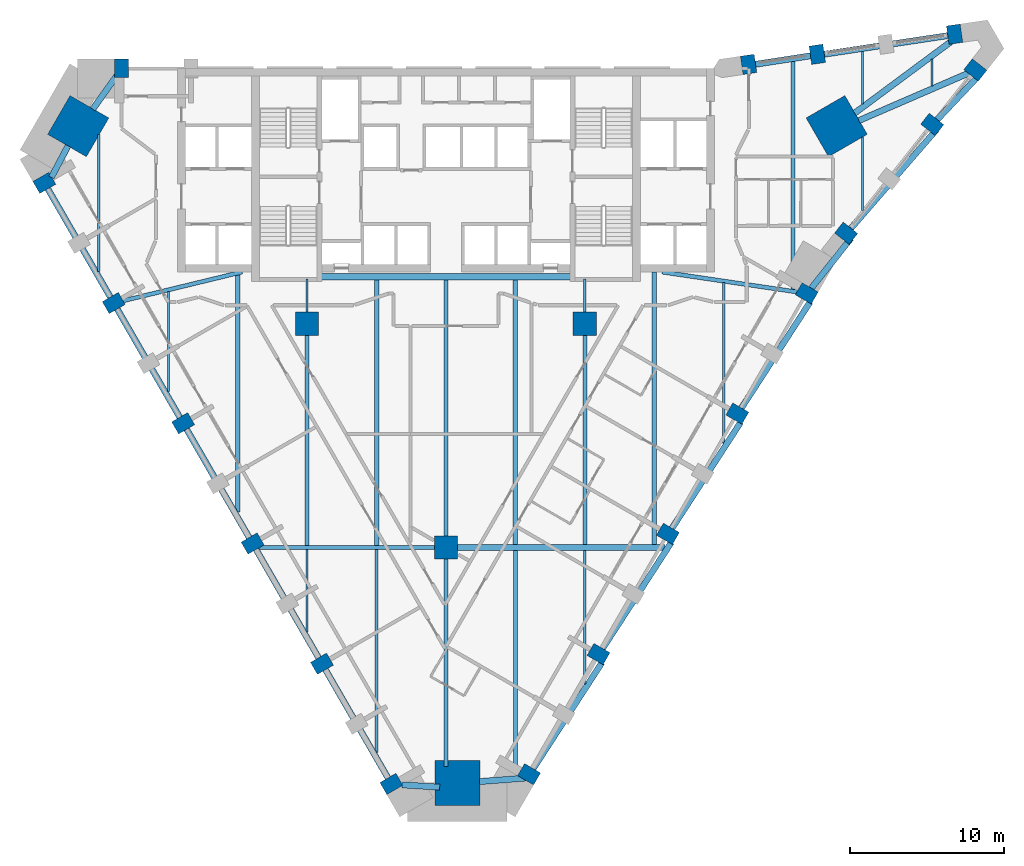
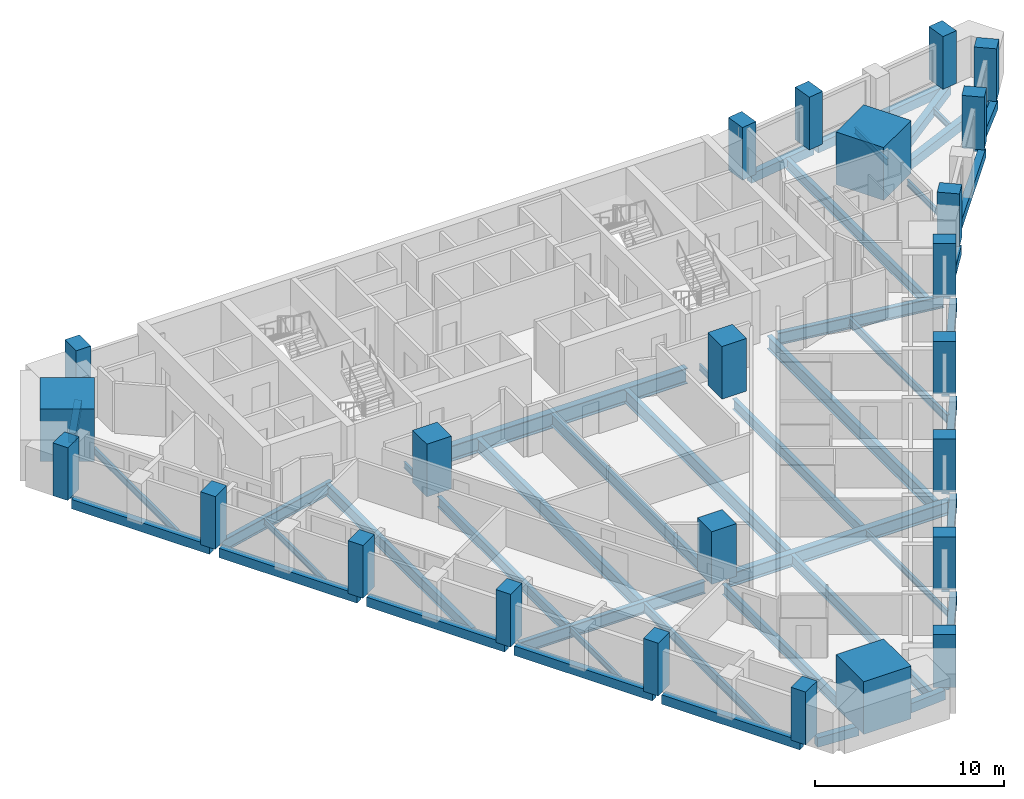
# One storey, part 1 of 11: 46 beams, 24 columns.
"""IFC4 building model written with IfcOpenShell, lengths in metres."""

from ifc_helpers import new_model, si_unit, direction, frame, origin, origin_2d, place, context, subcontext, project, spatial, rectangle, i_section, extrude, material, material_profile, profile_set, type_object, element, save


model = new_model("IFC4")

# Units and contexts
model_context = context("Model", 3, precision=1e-05, world=origin(), true_north=direction((0.0, 1.0)))
body_context = subcontext(model_context, "Body", "Model", "MODEL_VIEW")
ifc_project = project(units=[si_unit("LENGTHUNIT", "METRE"), si_unit("AREAUNIT", "SQUARE_METRE"), si_unit("VOLUMEUNIT", "CUBIC_METRE"), si_unit("PLANEANGLEUNIT", "RADIAN"), si_unit("MASSUNIT", "GRAM", prefix="KILO")], contexts=[model_context])

# Site, building, storey
site_placement = place(None, origin())
site = spatial("IfcSite", under=ifc_project, at=site_placement, CompositionType="ELEMENT")
building_placement = place(site_placement, origin())
building = spatial("IfcBuilding", under=site, at=building_placement, Name="Calabash Gate Tower", CompositionType="ELEMENT")
storey_placement = place(building_placement, frame((0.0, 0.0, 115.60009765625)))
storey = spatial("IfcBuildingStorey", under=building, at=storey_placement, Name="L26", CompositionType="ELEMENT", Elevation=115.60009765625)

# Columns
ifc_material_1 = material(Name="Concrete C80/95", Category="concrete")
ifc_material_profile_1 = material_profile(ifc_material_1, rectangle(XDim=1.5, YDim=1.5, at=origin_2d()))
ifc_profile_set_1 = profile_set([ifc_material_profile_1], Name="Concrete C80/95")
column_type_1 = type_object("IfcColumnType", Name="Interior column RC 1500x1500 Concrete C80/95", PredefinedType="COLUMN", material=ifc_profile_set_1)
for number, where, z_axis, x_axis, name in (
    (1, (-9.0, 2.5, 0.0), (0.0, 0.0, 1.0), (1.0, 0.0, 0.0), "Interior column L26 I0"),
    (2, (9.0, 2.5, 0.0), (0.0, 0.0, 1.0), (1.0, 0.0, 0.0), "Interior column L26 I1"),
    (3, (0.0, -12.0, 0.0), (0.0, 0.0, 1.0), (1.0, 0.0, 0.0), "Interior column L26 I2"),
):
    element("IfcColumn", number, at=place(storey_placement, frame(where, z_axis=z_axis, x_axis=x_axis)), inside=storey, type_object=column_type_1, Name=name, PredefinedType="COLUMN", context=body_context, shape_type="SweptSolid", body=[
        extrude(rectangle(XDim=1.5, YDim=1.5, at=origin_2d()), origin(), (0.0, 0.0, 1.0), 3.39990234375),
    ])
ifc_material_2 = material(Name="Concrete C80/95", Category="concrete")
ifc_material_profile_2 = material_profile(ifc_material_2, rectangle(XDim=2.89990234375, YDim=2.89990234375, at=origin_2d()))
ifc_profile_set_2 = profile_set([ifc_material_profile_2], Name="Concrete C80/95")
column_type_2 = type_object("IfcColumnType", Name="Mega column RC 2900x2900 Concrete C80/95", PredefinedType="COLUMN", material=ifc_profile_set_2)
for number, where, z_axis, x_axis, name in (
    (4, (-23.843017578125, 15.31298828125, 0.0), (0.0, 0.0, 1.0), (0.866025377604, -0.500000045345, 0.0), "Mega column L26 NW"),
    (5, (25.3291015625, 15.31298828125, 0.0), (0.0, 0.0, 1.0), (-0.866025377604, -0.500000045345, 0.0), "Mega column L26 NE"),
    (6, (0.742919921875, -27.27197265625, 0.0), (0.0, 0.0, 1.0), (0.0, 1.0, 0.0), "Mega column L26 S"),
):
    element("IfcColumn", number, at=place(storey_placement, frame(where, z_axis=z_axis, x_axis=x_axis)), inside=storey, type_object=column_type_2, Name=name, PredefinedType="COLUMN", context=body_context, shape_type="SweptSolid", body=[
        extrude(rectangle(XDim=2.89990234375, YDim=2.89990234375, at=origin_2d()), origin(), (0.0, 0.0, 1.0), 3.39990234375),
    ])
ifc_material_3 = material(Name="Concrete C70/85", Category="concrete")
ifc_material_profile_3 = material_profile(ifc_material_3, rectangle(XDim=0.89990234375, YDim=1.199951171875, at=origin_2d()))
ifc_profile_set_3 = profile_set([ifc_material_profile_3], Name="Concrete C70/85")
column_type_3 = type_object("IfcColumnType", Name="Perimeter column RC 900x1200 Concrete C70/85", PredefinedType="COLUMN", material=ifc_profile_set_3)
for number, where, z_axis, x_axis, name in (
    (7, (-26.0390625, 11.635986328125, 0.0), (0.0, 0.0, 1.0), (0.5, -0.866025403784, 0.0), "Perimeter column L26 P20"),
    (8, (-21.5390625, 3.842041015625, 0.0), (0.0, 0.0, 1.0), (0.5, -0.866025403784, 0.0), "Perimeter column L26 P00"),
    (9, (-17.0390625, -3.951904296875, 0.0), (0.0, 0.0, 1.0), (0.5, -0.866025403784, 0.0), "Perimeter column L26 P01"),
    (10, (-12.5390625, -11.7470703125, 0.0), (0.0, 0.0, 1.0), (0.5, -0.866025403784, 0.0), "Perimeter column L26 P02"),
    (11, (-8.0390625, -19.541015625, 0.0), (0.0, 0.0, 1.0), (0.5, -0.866025403784, 0.0), "Perimeter column L26 P03"),
    (12, (-3.5390625, -27.3330078125, 0.0), (0.0, 0.0, 1.0), (0.5, -0.866025403784, 0.0), "Perimeter column L26 P05"),
    (13, (5.386962890625, -26.7080078125, 0.0), (0.0, 0.0, 1.0), (0.5, 0.866025403784, 0.0), "Perimeter column L26 P08"),
    (14, (9.886962890625, -18.9140625, 0.0), (0.0, 0.0, 1.0), (0.5, 0.866025403784, 0.0), "Perimeter column L26 P09"),
    (15, (14.386962890625, -11.118896484375, 0.0), (0.0, 0.0, 1.0), (0.5, 0.866025403784, 0.0), "Perimeter column L26 P10"),
    (16, (18.886962890625, -3.322998046875, 0.0), (0.0, 0.0, 1.0), (0.5, 0.866025403784, 0.0), "Perimeter column L26 P11"),
    (17, (23.386962890625, 4.468994140625, 0.0), (0.0, 0.0, 1.0), (0.5, 0.866025403784, 0.0), "Perimeter column L26 P12"),
    (18, (25.943115234375, 8.366943359375, 0.0), (0.0, 0.0, 1.0), (0.620301172202, 0.784363726701, 0.0), "Perimeter column L26 P13"),
    (19, (31.52587890625, 15.424072265625, 0.0), (0.0, 0.0, 1.0), (0.620301172202, 0.784363726701, 0.0), "Perimeter column L26 P21"),
    (20, (34.31689453125, 18.9541015625, 0.0), (0.0, 0.0, 1.0), (0.620301172202, 0.784363726701, 0.0), "Perimeter column L26 P22"),
    (21, (32.97607421875, 21.27587890625, 0.0), (0.0, 0.0, 1.0), (-0.989429504293, -0.145014675236, 0.0), "Perimeter column L26 P23"),
    (22, (24.072021484375, 19.970947265625, 0.0), (0.0, 0.0, 1.0), (-0.989429504293, -0.145014675236, 0.0), "Perimeter column L26 P16"),
    (23, (19.618896484375, 19.318115234375, 0.0), (0.0, 0.0, 1.0), (-0.989429504293, -0.145014675236, 0.0), "Perimeter column L26 P24"),
    (24, (-21.032958984375, 19.052978515625, 0.0), (0.0, 0.0, 1.0), (-1.0, 0.0, 0.0), "Perimeter column L26 P17"),
):
    element("IfcColumn", number, at=place(storey_placement, frame(where, z_axis=z_axis, x_axis=x_axis)), inside=storey, type_object=column_type_3, Name=name, PredefinedType="COLUMN", context=body_context, shape_type="SweptSolid", body=[
        extrude(rectangle(XDim=0.89990234375, YDim=1.199951171875, at=origin_2d()), origin(), (0.0, 0.0, 1.0), 3.39990234375),
    ])

# Beams
ifc_material_4 = material(Name="Concrete C60/75", Category="concrete")
ifc_material_profile_4 = material_profile(ifc_material_4, rectangle(XDim=0.39990234375, YDim=0.60009765625, at=origin_2d()))
ifc_profile_set_4 = profile_set([ifc_material_profile_4], Name="Concrete C60/75")
beam_type_1 = type_object("IfcBeamType", Name="Edge beam RC 400x600 Concrete C60/75", PredefinedType="BEAM", material=ifc_profile_set_4)
for number, where, z_axis, x_axis, name in (
    (25, (-16.821044921875, -4.330078125, -0.47021484375), (0.500025102917, -0.866010910123, 0.0), (0.866010910123, 0.500025102917, 0.0), "Edge beam L26 1"),
    (26, (-12.321044921875, -12.1240234375, -0.47021484375), (0.500025102917, -0.866010910123, 0.0), (0.866010910123, 0.500025102917, 0.0), "Edge beam L26 2"),
):
    element("IfcBeam", number, at=place(storey_placement, frame(where, z_axis=z_axis, x_axis=x_axis)), inside=storey, type_object=beam_type_1, Name=name, PredefinedType="BEAM", context=body_context, shape_type="SweptSolid", body=[
        extrude(rectangle(XDim=0.39990234375, YDim=0.60009765625, at=origin_2d()), origin(), (0.0, 0.0, 1.0), 8.42578125),
    ])
beam_1_placement = place(storey_placement, frame((-7.821044921875, -19.9189453125, -0.47021484375), z_axis=(0.500012556128, -0.866018154379, 0.0), x_axis=(0.866018154379, 0.500012556128, 0.0)))
element("IfcBeam", 27, at=beam_1_placement, inside=storey, type_object=beam_type_1, Name="Edge beam L26 3", PredefinedType="BEAM", context=body_context, shape_type="SweptSolid", body=[
    extrude(rectangle(XDim=0.39990234375, YDim=0.60009765625, at=origin_2d()), origin(), (0.0, 0.0, 1.0), 8.426025390625),
])
beam_2_placement = place(storey_placement, frame((-2.843017578125, -27.39111328125, -0.47021484375), z_axis=(0.998064232576, -0.062191540038, 0.0), x_axis=(0.062191540038, 0.998064232576, 0.0)))
element("IfcBeam", 28, at=beam_2_placement, inside=storey, type_object=beam_type_1, Name="Edge beam L26 4", PredefinedType="BEAM", context=body_context, shape_type="SweptSolid", body=[
    extrude(rectangle(XDim=0.39990234375, YDim=0.60009765625, at=origin_2d()), origin(), (0.0, 0.0, 1.0), 2.441650390625),
])
beam_3_placement = place(storey_placement, frame((2.177001953125, -27.181884765625, -0.47021484375), z_axis=(0.997030596331, 0.077006428172, 0.0), x_axis=(-0.077006428172, 0.997030596331, 0.0)))
element("IfcBeam", 29, at=beam_3_placement, inside=storey, type_object=beam_type_1, Name="Edge beam L26 5", PredefinedType="BEAM", context=body_context, shape_type="SweptSolid", body=[
    extrude(rectangle(XDim=0.39990234375, YDim=0.60009765625, at=origin_2d()), origin(), (0.0, 0.0, 1.0), 3.011962890625),
])
for number, where, z_axis, x_axis, name in (
    (30, (5.64697265625, -26.35595703125, -0.47021484375), (0.543627394435, 0.839326668241, 0.0), (-0.839326668241, 0.543627394435, 0.0), "Edge beam L26 6"),
    (31, (10.14697265625, -18.56201171875, -0.47021484375), (0.543627394435, 0.839326668241, 0.0), (-0.839326668241, 0.543627394435, 0.0), "Edge beam L26 7"),
):
    element("IfcBeam", number, at=place(storey_placement, frame(where, z_axis=z_axis, x_axis=x_axis)), inside=storey, type_object=beam_type_1, Name=name, PredefinedType="BEAM", context=body_context, shape_type="SweptSolid", body=[
        extrude(rectangle(XDim=0.39990234375, YDim=0.60009765625, at=origin_2d()), origin(), (0.0, 0.0, 1.0), 8.207763671875),
    ])
for number, where, z_axis, x_axis, name in (
    (32, (14.64697265625, -10.76806640625, -0.47021484375), (0.543559539771, 0.83937061345, 0.0), (-0.83937061345, 0.543559539771, 0.0), "Edge beam L26 8"),
    (33, (19.14697265625, -2.97412109375, -0.47021484375), (0.543559539771, 0.83937061345, 0.0), (-0.83937061345, 0.543559539771, 0.0), "Edge beam L26 9"),
):
    element("IfcBeam", number, at=place(storey_placement, frame(where, z_axis=z_axis, x_axis=x_axis)), inside=storey, type_object=beam_type_1, Name=name, PredefinedType="BEAM", context=body_context, shape_type="SweptSolid", body=[
        extrude(rectangle(XDim=0.39990234375, YDim=0.60009765625, at=origin_2d()), origin(), (0.0, 0.0, 1.0), 8.208740234375),
    ])
beam_4_placement = place(storey_placement, frame((23.681884765625, 4.800048828125, -0.47021484375), z_axis=(0.621757740303, 0.783209622242, 0.0), x_axis=(-0.783209622242, 0.621757740303, 0.0)))
element("IfcBeam", 34, at=beam_4_placement, inside=storey, type_object=beam_type_1, Name="Edge beam L26 10", PredefinedType="BEAM", context=body_context, shape_type="SweptSolid", body=[
    extrude(rectangle(XDim=0.39990234375, YDim=0.60009765625, at=origin_2d()), origin(), (0.0, 0.0, 1.0), 4.141845703125),
])
beam_5_placement = place(storey_placement, frame((26.237060546875, 8.66796875, -0.47021484375), z_axis=(0.654894622811, 0.755720208155, 0.0), x_axis=(-0.755720208155, 0.654894622811, 0.0)))
element("IfcBeam", 35, at=beam_5_placement, inside=storey, type_object=beam_type_1, Name="Edge beam L26 11", PredefinedType="BEAM", context=body_context, shape_type="SweptSolid", body=[
    extrude(rectangle(XDim=0.39990234375, YDim=0.60009765625, at=origin_2d()), origin(), (0.0, 0.0, 1.0), 8.540283203125),
])
beam_6_placement = place(storey_placement, frame((31.839111328125, 15.72412109375, -0.47021484375), z_axis=(0.685941332038, 0.727656848385, 0.0), x_axis=(-0.727656848385, 0.685941332038, 0.0)))
element("IfcBeam", 36, at=beam_6_placement, inside=storey, type_object=beam_type_1, Name="Edge beam L26 12", PredefinedType="BEAM", context=body_context, shape_type="SweptSolid", body=[
    extrude(rectangle(XDim=0.39990234375, YDim=0.60009765625, at=origin_2d()), origin(), (0.0, 0.0, 1.0), 4.026611328125),
])
beam_7_placement = place(storey_placement, frame((34.27392578125, 18.922119140625, -0.47021484375), z_axis=(-0.917731210619, -0.397201995282, 0.0), x_axis=(0.397201995282, -0.917731210619, 0.0)))
element("IfcBeam", 37, at=beam_7_placement, inside=storey, type_object=beam_type_1, Name="Edge beam L26 13", PredefinedType="BEAM", context=body_context, shape_type="SweptSolid", body=[
    extrude(rectangle(XDim=0.39990234375, YDim=0.60009765625, at=origin_2d()), origin(), (0.0, 0.0, 1.0), 8.1796875),
])
beam_8_placement = place(storey_placement, frame((26.489990234375, 16.153076171875, -0.47021484375), z_axis=(0.803084890755, 0.595864630802, 0.0), x_axis=(-0.595864630802, 0.803084890755, 0.0)))
element("IfcBeam", 38, at=beam_8_placement, inside=storey, type_object=beam_type_1, Name="Edge beam L26 14", PredefinedType="BEAM", context=body_context, shape_type="SweptSolid", body=[
    extrude(rectangle(XDim=0.39990234375, YDim=0.60009765625, at=origin_2d()), origin(), (0.0, 0.0, 1.0), 8.319091796875),
])
beam_9_placement = place(storey_placement, frame((33.139892578125, 21.27392578125, -0.47021484375), z_axis=(-0.988841625555, -0.148970599683, 0.0), x_axis=(0.148970599683, -0.988841625555, 0.0)))
element("IfcBeam", 39, at=beam_9_placement, inside=storey, type_object=beam_type_1, Name="Edge beam L26 15", PredefinedType="BEAM", context=body_context, shape_type="SweptSolid", body=[
    extrude(rectangle(XDim=0.39990234375, YDim=0.60009765625, at=origin_2d()), origin(), (0.0, 0.0, 1.0), 8.7333984375),
])
beam_10_placement = place(storey_placement, frame((24.236083984375, 19.968017578125, -0.47021484375), z_axis=(-0.988255414285, -0.152811112607, 0.0), x_axis=(0.152811112607, -0.988255414285, 0.0)))
element("IfcBeam", 40, at=beam_10_placement, inside=storey, type_object=beam_type_1, Name="Edge beam L26 16", PredefinedType="BEAM", context=body_context, shape_type="SweptSolid", body=[
    extrude(rectangle(XDim=0.39990234375, YDim=0.60009765625, at=origin_2d()), origin(), (0.0, 0.0, 1.0), 4.23388671875),
])
beam_11_placement = place(storey_placement, frame((-21.10302734375, 18.926025390625, -0.47021484375), z_axis=(-0.581312904664, -0.813680101066, 0.0), x_axis=(0.813680101066, -0.581312904664, 0.0)))
element("IfcBeam", 41, at=beam_11_placement, inside=storey, type_object=beam_type_1, Name="Edge beam L26 17", PredefinedType="BEAM", context=body_context, shape_type="SweptSolid", body=[
    extrude(rectangle(XDim=0.39990234375, YDim=0.60009765625, at=origin_2d()), origin(), (0.0, 0.0, 1.0), 3.091064453125),
])
beam_12_placement = place(storey_placement, frame((-24.5029296875, 14.0400390625, -0.47021484375), z_axis=(-0.465789865333, -0.88489536181, 0.0), x_axis=(0.88489536181, -0.465789865333, 0.0)))
element("IfcBeam", 42, at=beam_12_placement, inside=storey, type_object=beam_type_1, Name="Edge beam L26 18", PredefinedType="BEAM", context=body_context, shape_type="SweptSolid", body=[
    extrude(rectangle(XDim=0.39990234375, YDim=0.60009765625, at=origin_2d()), origin(), (0.0, 0.0, 1.0), 2.316650390625),
])
for number, where, z_axis, x_axis, name in (
    (43, (-25.821044921875, 11.258056640625, -0.47021484375), (0.500012556128, -0.866018154379, 0.0), (0.866018154379, 0.500012556128, 0.0), "Edge beam L26 19"),
    (44, (-21.321044921875, 3.464111328125, -0.47021484375), (0.500012556128, -0.866018154379, 0.0), (0.866018154379, 0.500012556128, 0.0), "Edge beam L26 20"),
):
    element("IfcBeam", number, at=place(storey_placement, frame(where, z_axis=z_axis, x_axis=x_axis)), inside=storey, type_object=beam_type_1, Name=name, PredefinedType="BEAM", context=body_context, shape_type="SweptSolid", body=[
        extrude(rectangle(XDim=0.39990234375, YDim=0.60009765625, at=origin_2d()), origin(), (0.0, 0.0, 1.0), 8.426025390625),
    ])
ifc_material_5 = material(Name="Steel ASTM A992 Gr50", Category="steel")
ifc_material_profile_5 = material_profile(ifc_material_5, i_section(OverallWidth=0.1396484375, OverallDepth=0.398681640625, WebThickness=0.00634765625, FlangeThickness=0.0087890625, FilletRadius=0.01025390625, at=origin_2d()))
ifc_profile_set_5 = profile_set([ifc_material_profile_5], Name="Steel ASTM A992 Gr50")
beam_type_2 = type_object("IfcBeamType", Name="Floor beam W16x26 ASTM A992 Gr50", PredefinedType="BEAM", material=ifc_profile_set_5)
beam_13_placement = place(storey_placement, frame((-18.0, -1.89990234375, -0.369140625), z_axis=(0.0, 1.0, 0.0), x_axis=(-1.0, 0.0, 0.0)))
element("IfcBeam", 45, at=beam_13_placement, inside=storey, type_object=beam_type_2, Name="Floor beam L26 2", PredefinedType="BEAM", context=body_context, shape_type="SweptSolid", body=[
    extrude(i_section(OverallWidth=0.1396484375, OverallDepth=0.398681640625, WebThickness=0.00634765625, FlangeThickness=0.0087890625, FilletRadius=0.01025390625, at=origin_2d()), origin(), (0.0, 0.0, 1.0), 6.48388671875),
])
beam_14_placement = place(storey_placement, frame((-9.0, -17.488037109375, -0.369140625), z_axis=(0.0, 1.0, 0.0), x_axis=(-1.0, 0.0, 0.0)))
element("IfcBeam", 46, at=beam_14_placement, inside=storey, type_object=beam_type_2, Name="Floor beam L26 4", PredefinedType="BEAM", context=body_context, shape_type="SweptSolid", body=[
    extrude(i_section(OverallWidth=0.1396484375, OverallDepth=0.398681640625, WebThickness=0.00634765625, FlangeThickness=0.0087890625, FilletRadius=0.01025390625, at=origin_2d()), origin(), (0.0, 0.0, 1.0), 5.35498046875),
])
beam_15_placement = place(storey_placement, frame((-9.0, 3.25, -0.369140625), z_axis=(0.0, 1.0, 0.0), x_axis=(-1.0, 0.0, 0.0)))
element("IfcBeam", 47, at=beam_15_placement, inside=storey, type_object=beam_type_2, Name="Floor beam L26 6", PredefinedType="BEAM", context=body_context, shape_type="SweptSolid", body=[
    extrude(i_section(OverallWidth=0.1396484375, OverallDepth=0.398681640625, WebThickness=0.00634765625, FlangeThickness=0.0087890625, FilletRadius=0.01025390625, at=origin_2d()), origin(), (0.0, 0.0, 1.0), 2.153076171875),
])
beam_16_placement = place(storey_placement, frame((9.0, -20.842041015625, -0.369140625), z_axis=(0.0, 1.0, 0.0), x_axis=(-1.0, 0.0, 0.0)))
element("IfcBeam", 48, at=beam_16_placement, inside=storey, type_object=beam_type_2, Name="Floor beam L26 13", PredefinedType="BEAM", context=body_context, shape_type="SweptSolid", body=[
    extrude(i_section(OverallWidth=0.1396484375, OverallDepth=0.398681640625, WebThickness=0.00634765625, FlangeThickness=0.0087890625, FilletRadius=0.01025390625, at=origin_2d()), origin(), (0.0, 0.0, 1.0), 8.64306640625),
])
beam_17_placement = place(storey_placement, frame((9.0, 3.25, -0.369140625), z_axis=(0.0, 1.0, 0.0), x_axis=(-1.0, 0.0, 0.0)))
element("IfcBeam", 49, at=beam_17_placement, inside=storey, type_object=beam_type_2, Name="Floor beam L26 15", PredefinedType="BEAM", context=body_context, shape_type="SweptSolid", body=[
    extrude(i_section(OverallWidth=0.1396484375, OverallDepth=0.398681640625, WebThickness=0.00634765625, FlangeThickness=0.0087890625, FilletRadius=0.01025390625, at=origin_2d()), origin(), (0.0, 0.0, 1.0), 2.153076171875),
])
beam_18_placement = place(storey_placement, frame((27.0, 9.833984375, -0.369140625), z_axis=(0.0, 1.0, 0.0), x_axis=(-1.0, 0.0, 0.0)))
element("IfcBeam", 50, at=beam_18_placement, inside=storey, type_object=beam_type_2, Name="Floor beam L26 19", PredefinedType="BEAM", context=body_context, shape_type="SweptSolid", body=[
    extrude(i_section(OverallWidth=0.1396484375, OverallDepth=0.398681640625, WebThickness=0.00634765625, FlangeThickness=0.0087890625, FilletRadius=0.01025390625, at=origin_2d()), origin(), (0.0, 0.0, 1.0), 4.7880859375),
])
beam_19_placement = place(storey_placement, frame((27.0, 16.748046875, -0.369140625), z_axis=(0.0, 1.0, 0.0), x_axis=(-1.0, 0.0, 0.0)))
element("IfcBeam", 51, at=beam_19_placement, inside=storey, type_object=beam_type_2, Name="Floor beam L26 20", PredefinedType="BEAM", context=body_context, shape_type="SweptSolid", body=[
    extrude(i_section(OverallWidth=0.1396484375, OverallDepth=0.398681640625, WebThickness=0.00634765625, FlangeThickness=0.0087890625, FilletRadius=0.01025390625, at=origin_2d()), origin(), (0.0, 0.0, 1.0), 3.419921875),
])
beam_20_placement = place(storey_placement, frame((31.5, 17.91796875, -0.369140625), z_axis=(0.0, 1.0, 0.0), x_axis=(-1.0, 0.0, 0.0)))
element("IfcBeam", 52, at=beam_20_placement, inside=storey, type_object=beam_type_2, Name="Floor beam L26 21", PredefinedType="BEAM", context=body_context, shape_type="SweptSolid", body=[
    extrude(i_section(OverallWidth=0.1396484375, OverallDepth=0.398681640625, WebThickness=0.00634765625, FlangeThickness=0.0087890625, FilletRadius=0.01025390625, at=origin_2d()), origin(), (0.0, 0.0, 1.0), 1.735107421875),
])
ifc_material_6 = material(Name="Steel ASTM A992 Gr50", Category="steel")
ifc_material_profile_6 = material_profile(ifc_material_6, i_section(OverallWidth=0.15234375, OverallDepth=0.44970703125, WebThickness=0.007568359375, FlangeThickness=0.0107421875, FilletRadius=0.01025390625, at=origin_2d()))
ifc_profile_set_6 = profile_set([ifc_material_profile_6], Name="Steel ASTM A992 Gr50")
beam_type_3 = type_object("IfcBeamType", Name="Floor beam W18x35 ASTM A992 Gr50", PredefinedType="BEAM", material=ifc_profile_set_6)
beam_21_placement = place(storey_placement, frame((-22.5, 5.89404296875, -0.39306640625), z_axis=(0.0, 1.0, 0.0), x_axis=(-1.0, 0.0, 0.0)))
element("IfcBeam", 53, at=beam_21_placement, inside=storey, type_object=beam_type_3, Name="Floor beam L26 1", PredefinedType="BEAM", context=body_context, shape_type="SweptSolid", body=[
    extrude(i_section(OverallWidth=0.15234375, OverallDepth=0.44970703125, WebThickness=0.007568359375, FlangeThickness=0.0107421875, FilletRadius=0.01025390625, at=origin_2d()), origin(), (0.0, 0.0, 1.0), 8.873046875),
])
ifc_material_7 = material(Name="Steel ASTM A992 Gr50", Category="steel")
ifc_material_profile_7 = material_profile(ifc_material_7, i_section(OverallWidth=0.166015625, OverallDepth=0.5283203125, WebThickness=0.009765625, FlangeThickness=0.013671875, FilletRadius=0.0126953125, at=origin_2d()))
ifc_profile_set_7 = profile_set([ifc_material_profile_7], Name="Steel ASTM A992 Gr50")
beam_type_4 = type_object("IfcBeamType", Name="Floor beam W21x50 ASTM A992 Gr50", PredefinedType="BEAM", material=ifc_profile_set_7)
beam_22_placement = place(storey_placement, frame((18.0, -5.2529296875, -0.43408203125), z_axis=(0.0, 1.0, 0.0), x_axis=(-1.0, 0.0, 0.0)))
element("IfcBeam", 54, at=beam_22_placement, inside=storey, type_object=beam_type_4, Name="Floor beam L26 17", PredefinedType="BEAM", context=body_context, shape_type="SweptSolid", body=[
    extrude(i_section(OverallWidth=0.166015625, OverallDepth=0.5283203125, WebThickness=0.009765625, FlangeThickness=0.013671875, FilletRadius=0.0126953125, at=origin_2d()), origin(), (0.0, 0.0, 1.0), 10.416015625),
])
ifc_material_8 = material(Name="Steel ASTM A992 Gr50", Category="steel")
ifc_material_profile_8 = material_profile(ifc_material_8, i_section(OverallWidth=0.1787109375, OverallDepth=0.60205078125, WebThickness=0.010986328125, FlangeThickness=0.014892578125, FilletRadius=0.0126953125, at=origin_2d()))
ifc_profile_set_8 = profile_set([ifc_material_profile_8], Name="Steel ASTM A992 Gr50")
beam_type_5 = type_object("IfcBeamType", Name="Floor beam W24x62 ASTM A992 Gr50", PredefinedType="BEAM", material=ifc_profile_set_8)
beam_23_placement = place(storey_placement, frame((-4.5, -25.282958984375, -0.47119140625), z_axis=(0.0, 1.0, 0.0), x_axis=(-1.0, 0.0, 0.0)))
element("IfcBeam", 55, at=beam_23_placement, inside=storey, type_object=beam_type_5, Name="Floor beam L26 7", PredefinedType="BEAM", context=body_context, shape_type="SweptSolid", body=[
    extrude(i_section(OverallWidth=0.1787109375, OverallDepth=0.60205078125, WebThickness=0.010986328125, FlangeThickness=0.014892578125, FilletRadius=0.0126953125, at=origin_2d()), origin(), (0.0, 0.0, 1.0), 13.14990234375),
])
ifc_material_9 = material(Name="Steel ASTM A992 Gr50", Category="steel")
ifc_material_profile_9 = material_profile(ifc_material_9, i_section(OverallWidth=0.25390625, OverallDepth=0.67822265625, WebThickness=0.01171875, FlangeThickness=0.016357421875, FilletRadius=0.01513671875, at=origin_2d()))
ifc_profile_set_9 = profile_set([ifc_material_profile_9], Name="Steel ASTM A992 Gr50")
beam_type_6 = type_object("IfcBeamType", Name="Floor beam W27x84 ASTM A992 Gr50", PredefinedType="BEAM", material=ifc_profile_set_9)
beam_24_placement = place(storey_placement, frame((-9.0, -11.866943359375, -0.509033203125), z_axis=(0.0, 1.0, 0.0), x_axis=(-1.0, 0.0, 0.0)))
element("IfcBeam", 56, at=beam_24_placement, inside=storey, type_object=beam_type_6, Name="Floor beam L26 5", PredefinedType="BEAM", context=body_context, shape_type="SweptSolid", body=[
    extrude(i_section(OverallWidth=0.25390625, OverallDepth=0.67822265625, WebThickness=0.01171875, FlangeThickness=0.016357421875, FilletRadius=0.01513671875, at=origin_2d()), origin(), (0.0, 0.0, 1.0), 13.616943359375),
])
beam_25_placement = place(storey_placement, frame((0.0, -26.194091796875, -0.509033203125), z_axis=(0.0, 1.0, 0.0), x_axis=(-1.0, 0.0, 0.0)))
element("IfcBeam", 57, at=beam_25_placement, inside=storey, type_object=beam_type_6, Name="Floor beam L26 9", PredefinedType="BEAM", context=body_context, shape_type="SweptSolid", body=[
    extrude(i_section(OverallWidth=0.25390625, OverallDepth=0.67822265625, WebThickness=0.01171875, FlangeThickness=0.016357421875, FilletRadius=0.01513671875, at=origin_2d()), origin(), (0.0, 0.0, 1.0), 13.444091796875),
])
beam_26_placement = place(storey_placement, frame((4.5, -26.823974609375, -0.509033203125), z_axis=(0.0, 1.0, 0.0), x_axis=(-1.0, 0.0, 0.0)))
element("IfcBeam", 58, at=beam_26_placement, inside=storey, type_object=beam_type_6, Name="Floor beam L26 11", PredefinedType="BEAM", context=body_context, shape_type="SweptSolid", body=[
    extrude(i_section(OverallWidth=0.25390625, OverallDepth=0.67822265625, WebThickness=0.01171875, FlangeThickness=0.016357421875, FilletRadius=0.01513671875, at=origin_2d()), origin(), (0.0, 0.0, 1.0), 14.625),
])
beam_27_placement = place(storey_placement, frame((9.0, -11.801025390625, -0.509033203125), z_axis=(0.0, 1.0, 0.0), x_axis=(-1.0, 0.0, 0.0)))
element("IfcBeam", 59, at=beam_27_placement, inside=storey, type_object=beam_type_6, Name="Floor beam L26 14", PredefinedType="BEAM", context=body_context, shape_type="SweptSolid", body=[
    extrude(i_section(OverallWidth=0.25390625, OverallDepth=0.67822265625, WebThickness=0.01171875, FlangeThickness=0.016357421875, FilletRadius=0.01513671875, at=origin_2d()), origin(), (0.0, 0.0, 1.0), 13.551025390625),
])
beam_28_placement = place(storey_placement, frame((22.5, 4.722900390625, -0.509033203125), z_axis=(0.0, 1.0, 0.0), x_axis=(-1.0, 0.0, 0.0)))
element("IfcBeam", 60, at=beam_28_placement, inside=storey, type_object=beam_type_6, Name="Floor beam L26 18", PredefinedType="BEAM", context=body_context, shape_type="SweptSolid", body=[
    extrude(i_section(OverallWidth=0.25390625, OverallDepth=0.67822265625, WebThickness=0.01171875, FlangeThickness=0.016357421875, FilletRadius=0.01513671875, at=origin_2d()), origin(), (0.0, 0.0, 1.0), 14.80517578125),
])
ifc_material_10 = material(Name="Steel ASTM A992 Gr50", Category="steel")
ifc_material_profile_10 = material_profile(ifc_material_10, i_section(OverallWidth=0.2666015625, OverallDepth=0.7568359375, WebThickness=0.013916015625, FlangeThickness=0.019287109375, FilletRadius=0.0166015625, at=origin_2d()))
ifc_profile_set_10 = profile_set([ifc_material_profile_10], Name="Steel ASTM A992 Gr50")
beam_type_7 = type_object("IfcBeamType", Name="Floor beam W30x108 ASTM A992 Gr50", PredefinedType="BEAM", material=ifc_profile_set_10)
beam_29_placement = place(storey_placement, frame((-13.5, -9.694091796875, -0.548095703125), z_axis=(0.0, 1.0, 0.0), x_axis=(-1.0, 0.0, 0.0)))
element("IfcBeam", 61, at=beam_29_placement, inside=storey, type_object=beam_type_7, Name="Floor beam L26 3", PredefinedType="BEAM", context=body_context, shape_type="SweptSolid", body=[
    extrude(i_section(OverallWidth=0.2666015625, OverallDepth=0.7568359375, WebThickness=0.013916015625, FlangeThickness=0.019287109375, FilletRadius=0.0166015625, at=origin_2d()), origin(), (0.0, 0.0, 1.0), 15.3681640625),
])
beam_30_placement = place(storey_placement, frame((0.0, -11.25, -0.548095703125), z_axis=(0.0, 1.0, 0.0), x_axis=(-1.0, 0.0, 0.0)))
element("IfcBeam", 62, at=beam_30_placement, inside=storey, type_object=beam_type_7, Name="Floor beam L26 10", PredefinedType="BEAM", context=body_context, shape_type="SweptSolid", body=[
    extrude(i_section(OverallWidth=0.2666015625, OverallDepth=0.7568359375, WebThickness=0.013916015625, FlangeThickness=0.019287109375, FilletRadius=0.0166015625, at=origin_2d()), origin(), (0.0, 0.0, 1.0), 16.60205078125),
])
ifc_material_11 = material(Name="Steel ASTM A992 Gr50", Category="steel")
ifc_material_profile_11 = material_profile(ifc_material_11, i_section(OverallWidth=0.2919921875, OverallDepth=0.845703125, WebThickness=0.015380859375, FlangeThickness=0.0244140625, FilletRadius=0.017822265625, at=origin_2d()))
ifc_profile_set_11 = profile_set([ifc_material_profile_11], Name="Steel ASTM A992 Gr50")
beam_type_8 = type_object("IfcBeamType", Name="Floor beam W33x141 ASTM A992 Gr50", PredefinedType="BEAM", material=ifc_profile_set_11)
beam_31_placement = place(storey_placement, frame((-4.5, -11.866943359375, -0.593017578125), z_axis=(0.0, 1.0, 0.0), x_axis=(-1.0, 0.0, 0.0)))
element("IfcBeam", 63, at=beam_31_placement, inside=storey, type_object=beam_type_8, Name="Floor beam L26 8", PredefinedType="BEAM", context=body_context, shape_type="SweptSolid", body=[
    extrude(i_section(OverallWidth=0.2919921875, OverallDepth=0.845703125, WebThickness=0.015380859375, FlangeThickness=0.0244140625, FilletRadius=0.017822265625, at=origin_2d()), origin(), (0.0, 0.0, 1.0), 17.218994140625),
])
beam_32_placement = place(storey_placement, frame((4.5, -11.801025390625, -0.593017578125), z_axis=(0.0, 1.0, 0.0), x_axis=(-1.0, 0.0, 0.0)))
element("IfcBeam", 64, at=beam_32_placement, inside=storey, type_object=beam_type_8, Name="Floor beam L26 12", PredefinedType="BEAM", context=body_context, shape_type="SweptSolid", body=[
    extrude(i_section(OverallWidth=0.2919921875, OverallDepth=0.845703125, WebThickness=0.015380859375, FlangeThickness=0.0244140625, FilletRadius=0.017822265625, at=origin_2d()), origin(), (0.0, 0.0, 1.0), 17.153076171875),
])
beam_33_placement = place(storey_placement, frame((13.5, -11.801025390625, -0.593017578125), z_axis=(0.0, 1.0, 0.0), x_axis=(-1.0, 0.0, 0.0)))
element("IfcBeam", 65, at=beam_33_placement, inside=storey, type_object=beam_type_8, Name="Floor beam L26 16", PredefinedType="BEAM", context=body_context, shape_type="SweptSolid", body=[
    extrude(i_section(OverallWidth=0.2919921875, OverallDepth=0.845703125, WebThickness=0.015380859375, FlangeThickness=0.0244140625, FilletRadius=0.017822265625, at=origin_2d()), origin(), (0.0, 0.0, 1.0), 17.654052734375),
])
ifc_material_12 = material(Name="Steel ASTM A992 Gr50", Category="steel")
ifc_material_profile_12 = material_profile(ifc_material_12, i_section(OverallWidth=0.2666015625, OverallDepth=0.77978515625, WebThickness=0.0166015625, FlangeThickness=0.030029296875, FilletRadius=0.0166015625, at=origin_2d()))
ifc_profile_set_12 = profile_set([ifc_material_profile_12], Name="Steel ASTM A992 Gr50")
beam_type_9 = type_object("IfcBeamType", Name="Girder W30x148 ASTM A992 Gr50", PredefinedType="BEAM", material=ifc_profile_set_12)
beam_34_placement = place(storey_placement, frame((-20.9619140625, 3.98193359375, -0.56005859375), z_axis=(0.971895153152, 0.235414127189, 0.0), x_axis=(-0.235414127189, 0.971895153152, 0.0)))
element("IfcBeam", 66, at=beam_34_placement, inside=storey, type_object=beam_type_9, Name="Girder L26 2", PredefinedType="BEAM", context=body_context, shape_type="SweptSolid", body=[
    extrude(i_section(OverallWidth=0.2666015625, OverallDepth=0.77978515625, WebThickness=0.0166015625, FlangeThickness=0.030029296875, FilletRadius=0.0166015625, at=origin_2d()), origin(), (0.0, 0.0, 1.0), 7.96875),
])
beam_35_placement = place(storey_placement, frame((23.323974609375, 4.47802734375, -0.56005859375), z_axis=(-0.989239618769, 0.146304397262, 0.0), x_axis=(-0.146304397262, -0.989239618769, 0.0)))
element("IfcBeam", 67, at=beam_35_placement, inside=storey, type_object=beam_type_9, Name="Girder L26 3", PredefinedType="BEAM", context=body_context, shape_type="SweptSolid", body=[
    extrude(i_section(OverallWidth=0.2666015625, OverallDepth=0.77978515625, WebThickness=0.0166015625, FlangeThickness=0.030029296875, FilletRadius=0.0166015625, at=origin_2d()), origin(), (0.0, 0.0, 1.0), 9.418212890625),
])
beam_36_placement = place(storey_placement, frame((-12.10205078125, -12.0, -0.56005859375), z_axis=(1.0, 0.0, 0.0), x_axis=(0.0, 1.0, 0.0)))
element("IfcBeam", 68, at=beam_36_placement, inside=storey, type_object=beam_type_9, Name="Girder L26 4", PredefinedType="BEAM", context=body_context, shape_type="SweptSolid", body=[
    extrude(i_section(OverallWidth=0.2666015625, OverallDepth=0.77978515625, WebThickness=0.0166015625, FlangeThickness=0.030029296875, FilletRadius=0.0166015625, at=origin_2d()), origin(), (0.0, 0.0, 1.0), 11.35205078125),
])
ifc_material_13 = material(Name="Steel ASTM A992 Gr50", Category="steel")
ifc_material_profile_13 = material_profile(ifc_material_13, i_section(OverallWidth=0.398681640625, OverallDepth=0.85595703125, WebThickness=0.018310546875, FlangeThickness=0.029296875, FilletRadius=0.02001953125, at=origin_2d()))
ifc_profile_set_13 = profile_set([ifc_material_profile_13], Name="Steel ASTM A992 Gr50")
beam_type_10 = type_object("IfcBeamType", Name="Girder W33x201 ASTM A992 Gr50", PredefinedType="BEAM", material=ifc_profile_set_13)
beam_37_placement = place(storey_placement, frame((0.75, -12.0, -0.59814453125), z_axis=(1.0, 0.0, 0.0), x_axis=(0.0, 1.0, 0.0)))
element("IfcBeam", 69, at=beam_37_placement, inside=storey, type_object=beam_type_10, Name="Girder L26 5", PredefinedType="BEAM", context=body_context, shape_type="SweptSolid", body=[
    extrude(i_section(OverallWidth=0.398681640625, OverallDepth=0.85595703125, WebThickness=0.018310546875, FlangeThickness=0.029296875, FilletRadius=0.02001953125, at=origin_2d()), origin(), (0.0, 0.0, 1.0), 13.43896484375),
])
ifc_material_14 = material(Name="Steel ASTM A992 Gr50", Category="steel")
ifc_material_profile_14 = material_profile(ifc_material_14, i_section(OverallWidth=0.4013671875, OverallDepth=1.000732421875, WebThickness=0.01904296875, FlangeThickness=0.0361328125, FilletRadius=0.030029296875, at=origin_2d()))
ifc_profile_set_14 = profile_set([ifc_material_profile_14], Name="Steel ASTM A992 Gr50")
beam_type_11 = type_object("IfcBeamType", Name="Girder W40x249 ASTM A992 Gr50", PredefinedType="BEAM", material=ifc_profile_set_14)
beam_38_placement = place(storey_placement, frame((-8.25, 5.552978515625, -0.670166015625), z_axis=(1.0, 0.0, 0.0), x_axis=(0.0, 1.0, 0.0)))
element("IfcBeam", 70, at=beam_38_placement, inside=storey, type_object=beam_type_11, Name="Girder L26 1", PredefinedType="BEAM", context=body_context, shape_type="SweptSolid", body=[
    extrude(i_section(OverallWidth=0.4013671875, OverallDepth=1.000732421875, WebThickness=0.01904296875, FlangeThickness=0.0361328125, FilletRadius=0.030029296875, at=origin_2d()), origin(), (0.0, 0.0, 1.0), 16.5),
])

save(model, "model.ifc")
